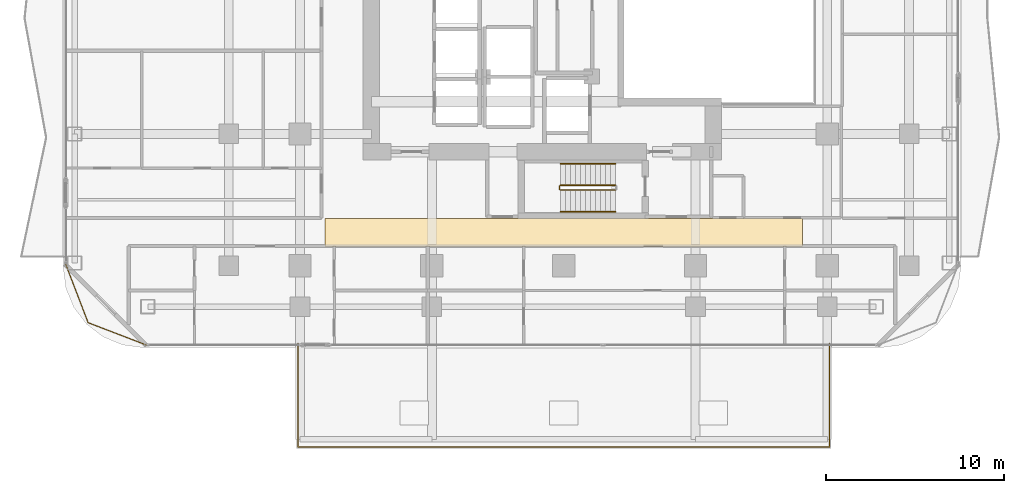
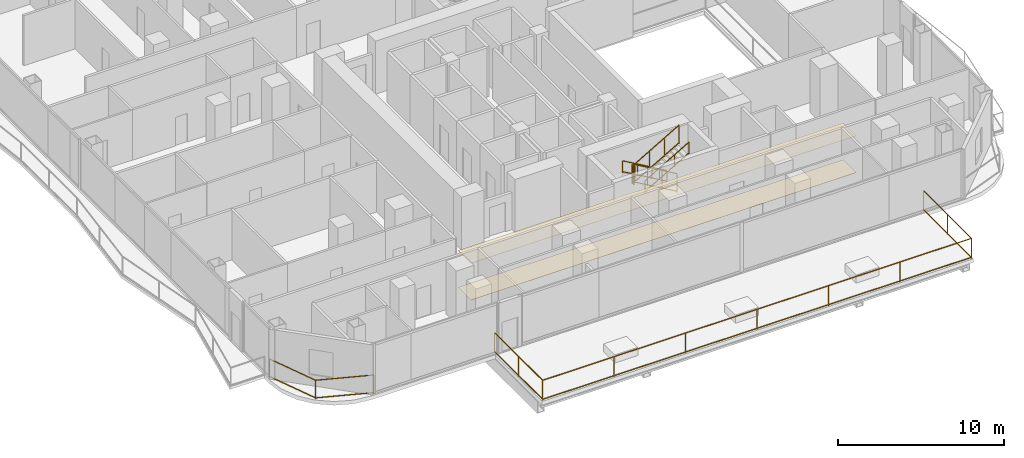
# One storey, part 25 of 29: 7 railings, 2 coverings.
"""IFC4 building model written with IfcOpenShell, lengths in metres."""

from ifc_helpers import new_model, si_unit, direction, frame, origin, origin_2d, place, context, subcontext, project, spatial, polyline, rectangle, outline, extrude, material, layer, layer_set, type_object, element, save


model = new_model("IFC4")

# Units and contexts
model_context = context("Model", 3, precision=1e-05, world=origin(), true_north=direction((0.0, 1.0)))
body_context = subcontext(model_context, "Body", "Model", "MODEL_VIEW")
ifc_project = project(units=[si_unit("LENGTHUNIT", "METRE"), si_unit("AREAUNIT", "SQUARE_METRE"), si_unit("VOLUMEUNIT", "CUBIC_METRE"), si_unit("PLANEANGLEUNIT", "RADIAN"), si_unit("MASSUNIT", "GRAM", prefix="KILO")], contexts=[model_context])

# Site, building, storey
site_placement = place(None, origin())
site = spatial("IfcSite", under=ifc_project, at=site_placement, CompositionType="ELEMENT")
building_placement = place(site_placement, origin())
building = spatial("IfcBuilding", under=site, at=building_placement, Name="Khorvyn Point Tower", CompositionType="ELEMENT")
storey_placement = place(building_placement, frame((0.0, 0.0, 85.199951171875)))
storey = spatial("IfcBuildingStorey", under=building, at=storey_placement, Name="L21", CompositionType="ELEMENT", Elevation=85.199951171875)

# Railing
ifc_material_1 = material(Name="Anodised aluminium 6063-T6 and laminated safety glass", Category="aluminium")
railing_type_1 = type_object("IfcRailingType", Name="Laminated Glass and Aluminium Balcony Guardrail 1400", PredefinedType="BALUSTRADE", material=ifc_material_1)
railing_1_placement = place(storey_placement, frame((-27.97412109375, -14.6708984375, 0.0)))
element("IfcRailing", 1, at=railing_1_placement, inside=storey, type_object=railing_type_1, Name="L21 Rounded Corner Edge Guardrail SW", PredefinedType="BALUSTRADE", context=body_context, shape_type="SweptSolid", body=[
    extrude(rectangle(XDim=0.048095703125, YDim=0.048095703125, at=origin_2d()), frame((0.0, 0.0, 1.3759765625), z_axis=(0.358441788428, -0.933552079055, 0.0), x_axis=(0.933552079055, 0.358441788428, 0.0)), (0.0, 0.0, 1.0), 3.56298828125),
    extrude(rectangle(XDim=0.048095703125, YDim=0.048095703125, at=origin_2d()), frame((0.0, 0.0, 0.080078125), z_axis=(0.358441788428, -0.933552079055, 0.0), x_axis=(0.933552079055, 0.358441788428, 0.0)), (0.0, 0.0, 1.0), 3.56298828125),
    extrude(rectangle(XDim=0.048095703125, YDim=0.048095703125, at=origin_2d()), frame((1.277099609375, -3.326171875, 1.3759765625), z_axis=(0.933575007025, -0.358382067435, 0.0), x_axis=(0.358382067435, 0.933575007025, 0.0)), (0.0, 0.0, 1.0), 3.562744140625),
    extrude(rectangle(XDim=0.048095703125, YDim=0.048095703125, at=origin_2d()), frame((1.277099609375, -3.326171875, 0.080078125), z_axis=(0.933575007025, -0.358382067435, 0.0), x_axis=(0.358382067435, 0.933575007025, 0.0)), (0.0, 0.0, 1.0), 3.562744140625),
    extrude(rectangle(XDim=0.0419921875, YDim=0.0419921875, at=origin_2d()), origin(), (0.0, 0.0, 1.0), 1.351806640625),
    extrude(rectangle(XDim=0.0419921875, YDim=0.0419921875, at=origin_2d()), frame((1.277099609375, -3.326171875, 0.0)), (0.0, 0.0, 1.0), 1.351806640625),
    extrude(rectangle(XDim=0.0419921875, YDim=0.0419921875, at=origin_2d()), frame((4.603271484375, -4.60302734375, 0.0)), (0.0, 0.0, 1.0), 1.351806640625),
])

# Coverings
ifc_material_2 = material(Name="Mineral-fibre acoustic ceiling board", Category="gypsum")
ifc_layer_1 = layer(ifc_material_2, 0.02001953125)
ifc_layer_set_1 = layer_set([ifc_layer_1], Name="Perforated Mineral-Fibre Acoustic Suspended Ceiling 20")
covering_type_1 = type_object("IfcCoveringType", Name="Perforated Mineral-Fibre Acoustic Suspended Ceiling 20", PredefinedType="CEILING", material=ifc_layer_set_1)
covering_1_placement = place(storey_placement, frame((0.0, 0.0, 2.699951171875)))
element("IfcCovering", 2, at=covering_1_placement, inside=storey, type_object=covering_type_1, Name="L21 South Corridor Acoustic Ceiling", PredefinedType="CEILING", context=body_context, shape_type="SweptSolid", body=[
    extrude(outline(polyline([(-13.39990234375, -13.7099609375), (13.39990234375, -13.7099609375), (13.39990234375, -12.139892578125), (-13.39990234375, -12.139892578125), (-13.39990234375, -13.7099609375)])), origin(), (0.0, 0.0, 1.0), 0.02001953125),
])
ifc_material_3 = material(Name="Vitrified porcelain terrazzo tile", Category="ceramic")
ifc_layer_2 = layer(ifc_material_3, 0.01806640625)
ifc_layer_set_2 = layer_set([ifc_layer_2], Name="Porcelain Terrazzo Corridor Floor Finish Tile 18")
covering_type_2 = type_object("IfcCoveringType", Name="Porcelain Terrazzo Corridor Floor Finish Tile 18", PredefinedType="FLOORING", material=ifc_layer_set_2)
covering_2_placement = place(storey_placement, origin())
element("IfcCovering", 3, at=covering_2_placement, inside=storey, type_object=covering_type_2, Name="L21 South Corridor Terrazzo Flooring", PredefinedType="FLOORING", context=body_context, shape_type="SweptSolid", body=[
    extrude(outline(polyline([(-13.39990234375, -13.7099609375), (13.39990234375, -13.7099609375), (13.39990234375, -12.139892578125), (-13.39990234375, -12.139892578125), (-13.39990234375, -13.7099609375)])), origin(), (0.0, 0.0, 1.0), 0.01806640625),
])

# Railings
ifc_material_4 = material(Name="Stainless steel 1.4401", Category="steel")
railing_type_2 = type_object("IfcRailingType", Name="School Terrace Anti-Climb Safety Guardrail 1500", PredefinedType="GUARDRAIL", material=ifc_material_4)
railing_2_placement = place(storey_placement, frame((-14.919921875, -19.169921875, 0.0)))
element("IfcRailing", 4, at=railing_2_placement, inside=storey, type_object=railing_type_2, Name="L21 Setback Terrace Guardrail", PredefinedType="GUARDRAIL", context=body_context, shape_type="SweptSolid", body=[
    extrude(rectangle(XDim=0.048095703125, YDim=0.048095703125, at=origin_2d()), frame((0.0, 0.0, 1.47607421875), z_axis=(0.0, -1.0, 0.0), x_axis=(1.0, 0.0, 0.0)), (0.0, 0.0, 1.0), 5.800048828125),
    extrude(rectangle(XDim=0.048095703125, YDim=0.048095703125, at=origin_2d()), frame((0.0, 0.0, 0.080078125), z_axis=(0.0, -1.0, 0.0), x_axis=(1.0, 0.0, 0.0)), (0.0, 0.0, 1.0), 5.800048828125),
    extrude(rectangle(XDim=0.048095703125, YDim=0.048095703125, at=origin_2d()), frame((0.0, -5.800048828125, 1.47607421875), z_axis=(1.0, 0.0, 0.0), x_axis=(0.0, 1.0, 0.0)), (0.0, 0.0, 1.0), 29.83984375),
    extrude(rectangle(XDim=0.048095703125, YDim=0.048095703125, at=origin_2d()), frame((0.0, -5.800048828125, 0.080078125), z_axis=(1.0, 0.0, 0.0), x_axis=(0.0, 1.0, 0.0)), (0.0, 0.0, 1.0), 29.83984375),
    extrude(rectangle(XDim=0.048095703125, YDim=0.048095703125, at=origin_2d()), frame((29.83984375, -5.800048828125, 1.47607421875), z_axis=(0.0, 1.0, 0.0), x_axis=(-1.0, 0.0, 0.0)), (0.0, 0.0, 1.0), 5.800048828125),
    extrude(rectangle(XDim=0.048095703125, YDim=0.048095703125, at=origin_2d()), frame((29.83984375, -5.800048828125, 0.080078125), z_axis=(0.0, 1.0, 0.0), x_axis=(-1.0, 0.0, 0.0)), (0.0, 0.0, 1.0), 5.800048828125),
    extrude(rectangle(XDim=0.0419921875, YDim=0.0419921875, at=origin_2d()), origin(), (0.0, 0.0, 1.0), 1.451904296875),
    extrude(rectangle(XDim=0.0419921875, YDim=0.0419921875, at=origin_2d()), frame((0.0, -2.89990234375, 0.0)), (0.0, 0.0, 1.0), 1.451904296875),
    extrude(rectangle(XDim=0.0419921875, YDim=0.0419921875, at=origin_2d()), frame((0.0, -5.800048828125, 0.0)), (0.0, 0.0, 1.0), 1.451904296875),
    extrude(rectangle(XDim=0.0419921875, YDim=0.0419921875, at=origin_2d()), frame((4.973388671875, -5.800048828125, 0.0)), (0.0, 0.0, 1.0), 1.451904296875),
    extrude(rectangle(XDim=0.0419921875, YDim=0.0419921875, at=origin_2d()), frame((9.946533203125, -5.800048828125, 0.0)), (0.0, 0.0, 1.0), 1.451904296875),
    extrude(rectangle(XDim=0.0419921875, YDim=0.0419921875, at=origin_2d()), frame((14.919921875, -5.800048828125, 0.0)), (0.0, 0.0, 1.0), 1.451904296875),
    extrude(rectangle(XDim=0.0419921875, YDim=0.0419921875, at=origin_2d()), frame((19.893310546875, -5.800048828125, 0.0)), (0.0, 0.0, 1.0), 1.451904296875),
    extrude(rectangle(XDim=0.0419921875, YDim=0.0419921875, at=origin_2d()), frame((24.866455078125, -5.800048828125, 0.0)), (0.0, 0.0, 1.0), 1.451904296875),
    extrude(rectangle(XDim=0.0419921875, YDim=0.0419921875, at=origin_2d()), frame((29.83984375, -5.800048828125, 0.0)), (0.0, 0.0, 1.0), 1.451904296875),
    extrude(rectangle(XDim=0.0419921875, YDim=0.0419921875, at=origin_2d()), frame((29.83984375, -2.89990234375, 0.0)), (0.0, 0.0, 1.0), 1.451904296875),
    extrude(rectangle(XDim=0.0419921875, YDim=0.0419921875, at=origin_2d()), frame((29.83984375, 0.0, 0.0)), (0.0, 0.0, 1.0), 1.451904296875),
])
ifc_material_5 = material(Name="Stainless steel 1.4301", Category="steel")
railing_type_3 = type_object("IfcRailingType", Name="Stainless Steel 304 Stair Pitch Handrail 900", PredefinedType="HANDRAIL", material=ifc_material_5)
railing_3_placement = place(storey_placement, frame((2.89990234375, -9.070068359375, 0.16259765625)))
element("IfcRailing", 5, at=railing_3_placement, inside=storey, type_object=railing_type_3, Name="L21 ST-01 stair handrail 1", PredefinedType="HANDRAIL", context=body_context, shape_type="SweptSolid", body=[
    extrude(rectangle(XDim=0.048095703125, YDim=0.048095703125, at=origin_2d()), frame((0.0, 0.0, 0.8759765625), z_axis=(-0.864903211148, 0.0, 0.501938676878), x_axis=(0.0, -1.0, 0.0)), (0.0, 0.0, 1.0), 3.560791015625),
    extrude(rectangle(XDim=0.048095703125, YDim=0.048095703125, at=origin_2d()), frame((0.0, 0.0, 0.080078125), z_axis=(-0.864903211148, 0.0, 0.501938676878), x_axis=(0.0, -1.0, 0.0)), (0.0, 0.0, 1.0), 3.560791015625),
    extrude(rectangle(XDim=0.0419921875, YDim=0.0419921875, at=origin_2d()), origin(), (0.0, 0.0, 1.0), 0.851806640625),
    extrude(rectangle(XDim=0.0419921875, YDim=0.0419921875, at=origin_2d()), frame((-1.026611328125, 0.0, 0.595703125)), (0.0, 0.0, 1.0), 0.851806640625),
    extrude(rectangle(XDim=0.0419921875, YDim=0.0419921875, at=origin_2d()), frame((-2.05322265625, 0.0, 1.191650390625)), (0.0, 0.0, 1.0), 0.851806640625),
    extrude(rectangle(XDim=0.0419921875, YDim=0.0419921875, at=origin_2d()), frame((-3.079833984375, 0.0, 1.787353515625)), (0.0, 0.0, 1.0), 0.851806640625),
])
railing_4_placement = place(storey_placement, frame((-0.179931640625, -11.77001953125, 2.112548828125)))
element("IfcRailing", 6, at=railing_4_placement, inside=storey, type_object=railing_type_3, Name="L21 ST-01 stair handrail 2", PredefinedType="HANDRAIL", context=body_context, shape_type="SweptSolid", body=[
    extrude(rectangle(XDim=0.048095703125, YDim=0.048095703125, at=origin_2d()), frame((0.0, 0.0, 0.8759765625), z_axis=(0.864873446163, 0.0, 0.501989962173), x_axis=(0.0, 1.0, 0.0)), (0.0, 0.0, 1.0), 3.56103515625),
    extrude(rectangle(XDim=0.048095703125, YDim=0.048095703125, at=origin_2d()), frame((0.0, 0.0, 0.080078125), z_axis=(0.864873446163, 0.0, 0.501989962173), x_axis=(0.0, 1.0, 0.0)), (0.0, 0.0, 1.0), 3.56103515625),
    extrude(rectangle(XDim=0.0419921875, YDim=0.0419921875, at=origin_2d()), origin(), (0.0, 0.0, 1.0), 0.851806640625),
    extrude(rectangle(XDim=0.0419921875, YDim=0.0419921875, at=origin_2d()), frame((1.026611328125, 0.0, 0.595947265625)), (0.0, 0.0, 1.0), 0.851806640625),
    extrude(rectangle(XDim=0.0419921875, YDim=0.0419921875, at=origin_2d()), frame((2.05322265625, 0.0, 1.191650390625)), (0.0, 0.0, 1.0), 0.851806640625),
    extrude(rectangle(XDim=0.0419921875, YDim=0.0419921875, at=origin_2d()), frame((3.079833984375, 0.0, 1.78759765625)), (0.0, 0.0, 1.0), 0.851806640625),
])
railing_type_4 = type_object("IfcRailingType", Name="Stainless Steel 304 Stair Well Guardrail 1400", PredefinedType="GUARDRAIL", material=ifc_material_5)
railing_5_placement = place(storey_placement, frame((2.89990234375, -10.2900390625, 0.16259765625)))
element("IfcRailing", 7, at=railing_5_placement, inside=storey, type_object=railing_type_4, Name="L21 ST-01 stair guard 1", PredefinedType="GUARDRAIL", context=body_context, shape_type="SweptSolid", body=[
    extrude(rectangle(XDim=0.048095703125, YDim=0.048095703125, at=origin_2d()), frame((0.0, 0.0, 1.3759765625), z_axis=(-0.864903211148, 0.0, 0.501938676878), x_axis=(0.0, -1.0, 0.0)), (0.0, 0.0, 1.0), 3.560791015625),
    extrude(rectangle(XDim=0.048095703125, YDim=0.048095703125, at=origin_2d()), frame((0.0, 0.0, 0.080078125), z_axis=(-0.864903211148, 0.0, 0.501938676878), x_axis=(0.0, -1.0, 0.0)), (0.0, 0.0, 1.0), 3.560791015625),
    extrude(rectangle(XDim=0.0419921875, YDim=0.0419921875, at=origin_2d()), origin(), (0.0, 0.0, 1.0), 1.351806640625),
    extrude(rectangle(XDim=0.0419921875, YDim=0.0419921875, at=origin_2d()), frame((-1.026611328125, 0.0, 0.595703125)), (0.0, 0.0, 1.0), 1.351806640625),
    extrude(rectangle(XDim=0.0419921875, YDim=0.0419921875, at=origin_2d()), frame((-2.05322265625, 0.0, 1.191650390625)), (0.0, 0.0, 1.0), 1.351806640625),
    extrude(rectangle(XDim=0.0419921875, YDim=0.0419921875, at=origin_2d()), frame((-3.079833984375, 0.0, 1.787353515625)), (0.0, 0.0, 1.0), 1.351806640625),
])
railing_6_placement = place(storey_placement, frame((-0.22998046875, -10.340087890625, 1.949951171875)))
element("IfcRailing", 8, at=railing_6_placement, inside=storey, type_object=railing_type_4, Name="L21 ST-01 stair guard 2", PredefinedType="GUARDRAIL", context=body_context, shape_type="SweptSolid", body=[
    extrude(rectangle(XDim=0.048095703125, YDim=0.048095703125, at=origin_2d()), frame((0.0, 0.0, 1.3759765625), z_axis=(0.0, -1.0, 0.0), x_axis=(1.0, 0.0, 0.0)), (0.0, 0.0, 1.0), 0.159912109375),
    extrude(rectangle(XDim=0.048095703125, YDim=0.048095703125, at=origin_2d()), frame((0.0, 0.0, 0.080078125), z_axis=(0.0, -1.0, 0.0), x_axis=(1.0, 0.0, 0.0)), (0.0, 0.0, 1.0), 0.159912109375),
    extrude(rectangle(XDim=0.0419921875, YDim=0.0419921875, at=origin_2d()), origin(), (0.0, 0.0, 1.0), 1.351806640625),
    extrude(rectangle(XDim=0.0419921875, YDim=0.0419921875, at=origin_2d()), frame((0.0, -0.159912109375, 0.0)), (0.0, 0.0, 1.0), 1.351806640625),
])
railing_7_placement = place(storey_placement, frame((-0.179931640625, -10.550048828125, 2.112548828125)))
element("IfcRailing", 9, at=railing_7_placement, inside=storey, type_object=railing_type_4, Name="L21 ST-01 stair guard 3", PredefinedType="GUARDRAIL", context=body_context, shape_type="SweptSolid", body=[
    extrude(rectangle(XDim=0.048095703125, YDim=0.048095703125, at=origin_2d()), frame((0.0, 0.0, 1.3759765625), z_axis=(0.864873446163, 0.0, 0.501989962173), x_axis=(0.0, 1.0, 0.0)), (0.0, 0.0, 1.0), 3.56103515625),
    extrude(rectangle(XDim=0.048095703125, YDim=0.048095703125, at=origin_2d()), frame((0.0, 0.0, 0.080078125), z_axis=(0.864873446163, 0.0, 0.501989962173), x_axis=(0.0, 1.0, 0.0)), (0.0, 0.0, 1.0), 3.56103515625),
    extrude(rectangle(XDim=0.0419921875, YDim=0.0419921875, at=origin_2d()), origin(), (0.0, 0.0, 1.0), 1.351806640625),
    extrude(rectangle(XDim=0.0419921875, YDim=0.0419921875, at=origin_2d()), frame((1.026611328125, 0.0, 0.595947265625)), (0.0, 0.0, 1.0), 1.351806640625),
    extrude(rectangle(XDim=0.0419921875, YDim=0.0419921875, at=origin_2d()), frame((2.05322265625, 0.0, 1.191650390625)), (0.0, 0.0, 1.0), 1.351806640625),
    extrude(rectangle(XDim=0.0419921875, YDim=0.0419921875, at=origin_2d()), frame((3.079833984375, 0.0, 1.78759765625)), (0.0, 0.0, 1.0), 1.351806640625),
])

save(model, "model.ifc")
